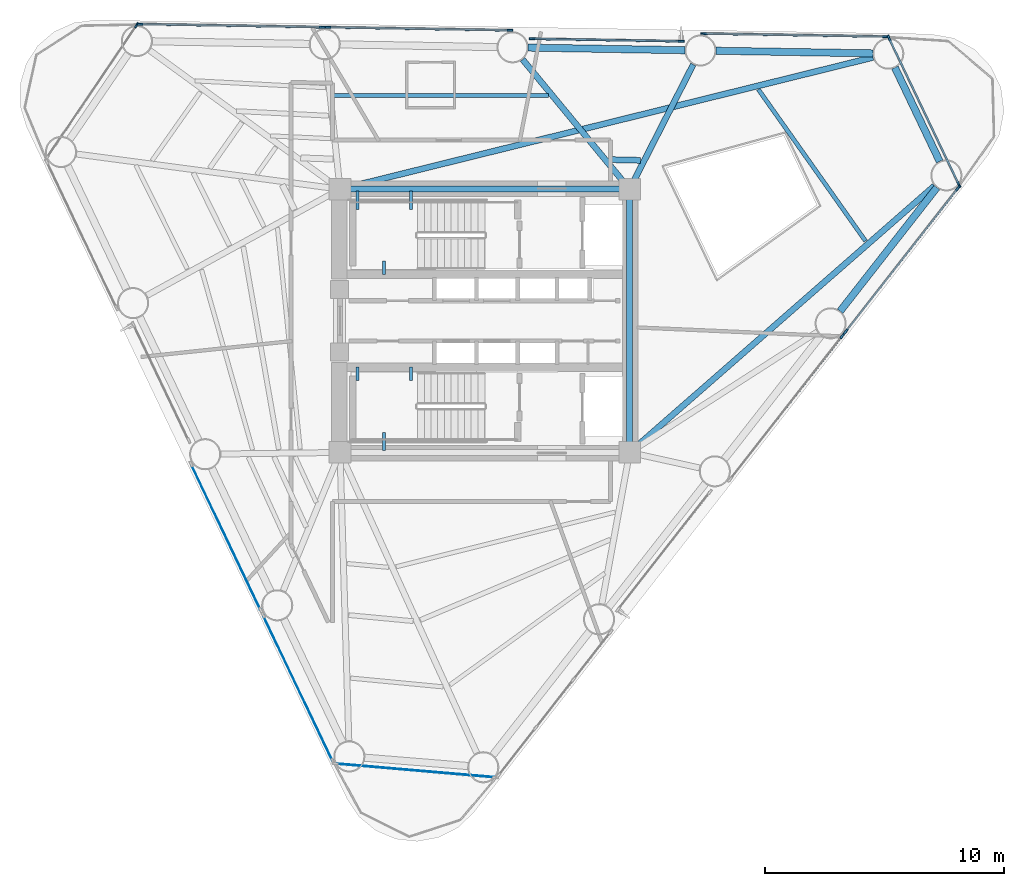
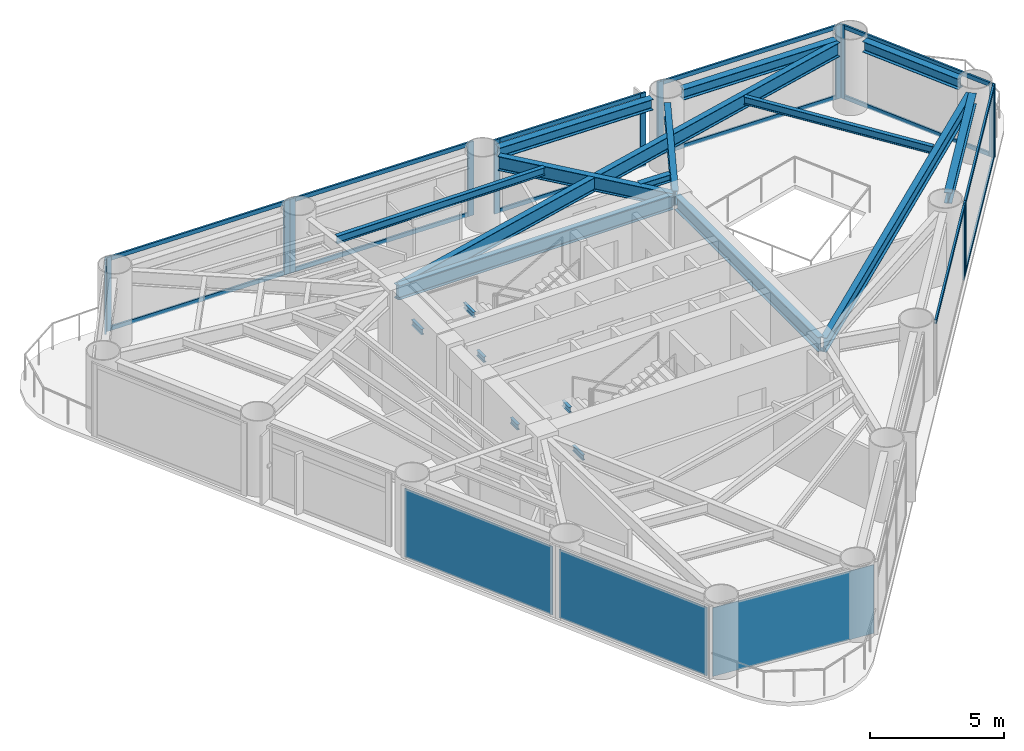
# One storey, part 4 of 10: 28 members, 19 beams, 3 plates, 11 elements without a shape of their own.
"""IFC4 building model written with IfcOpenShell, lengths in metres."""

from ifc_helpers import new_model, si_unit, direction, frame, origin, origin_2d, place, context, subcontext, project, spatial, rectangle, i_section, extrude, source, transform, mapped, material, layer, layer_set, material_profile, profile_set, type_object, element, aggregate, save


model = new_model("IFC4")

# Units and contexts
model_context = context("Model", 3, precision=1e-05, world=origin(), true_north=direction((0.0, 1.0)))
body_context = subcontext(model_context, "Body", "Model", "MODEL_VIEW")
ifc_project = project(units=[si_unit("LENGTHUNIT", "METRE"), si_unit("AREAUNIT", "SQUARE_METRE"), si_unit("VOLUMEUNIT", "CUBIC_METRE"), si_unit("PLANEANGLEUNIT", "RADIAN"), si_unit("MASSUNIT", "GRAM", prefix="KILO")], contexts=[model_context])

# Site, building, storey
site_placement = place(None, origin())
site = spatial("IfcSite", under=ifc_project, at=site_placement, CompositionType="ELEMENT")
building_placement = place(site_placement, origin())
building = spatial("IfcBuilding", under=site, at=building_placement, Name="Yunling Apex Tower", CompositionType="ELEMENT")
storey_placement = place(building_placement, frame((0.0, 0.0, 132.949951171875)))
storey = spatial("IfcBuildingStorey", under=building, at=storey_placement, Name="L32", CompositionType="ELEMENT", Elevation=132.949951171875)

# Beams
ifc_material_1 = material(Name="Steel Q355B", Category="steel")
ifc_material_profile_1 = material_profile(ifc_material_1, i_section(OverallWidth=0.125, OverallDepth=0.25, WebThickness=0.006103515625, FlangeThickness=0.009033203125, FilletRadius=0.011962890625, at=origin_2d()))
ifc_profile_set_1 = profile_set([ifc_material_profile_1], Name="Steel Q355B")
beam_type_1 = type_object("IfcBeamType", Name="BL-LNT-1", PredefinedType="LINTEL", material=ifc_profile_set_1)
shared_shape_1 = source(origin(), body_context, "Body", "SweptSolid", [
    extrude(i_section(OverallWidth=0.125, OverallDepth=0.25, WebThickness=0.006103515625, FlangeThickness=0.009033203125, FilletRadius=0.011962890625, at=origin_2d()), origin(), (0.0, 0.0, 1.0), 0.760009765625),
])
for number, where, z_axis, x_axis, name in (
    (1, (-5.320068359375, 5.419921875, 1.405029296875), (0.0, -1.0, 0.0), (1.0, 0.0, 0.0), "L32 ST-1 Landing Bearing Corbel 1-1"),
    (2, (-3.090087890625, 5.419921875, 1.405029296875), (0.0, -1.0, 0.0), (1.0, 0.0, 0.0), "L32 ST-1 Landing Bearing Corbel 1-2"),
    (3, (-4.205078125, -5.419921875, 1.405029296875), (0.0, 1.0, 0.0), (-1.0, 0.0, 0.0), "L32 ST-2 Landing Bearing Corbel 1-3"),
):
    element("IfcBeam", number, at=place(storey_placement, frame(where, z_axis=z_axis, x_axis=x_axis)), inside=storey, type_object=beam_type_1, Name=name, PredefinedType="LINTEL", context=body_context, shape_type="MappedRepresentation", body=[
        mapped(shared_shape_1, transform((0.0, 0.0, 0.0), scale=1.0)),
    ])
shared_shape_2 = source(origin(), body_context, "Body", "SweptSolid", [
    extrude(i_section(OverallWidth=0.125, OverallDepth=0.25, WebThickness=0.006103515625, FlangeThickness=0.009033203125, FilletRadius=0.011962890625, at=origin_2d()), origin(), (0.0, 0.0, 1.0), 0.550048828125),
])
for number, where, z_axis, x_axis, name in (
    (4, (-4.205078125, 1.93994140625, 1.405029296875), (0.0, 1.0, 0.0), (-1.0, 0.0, 0.0), "L32 ST-1 Landing Bearing Corbel 1-3"),
    (5, (-5.320068359375, -1.93994140625, 1.405029296875), (0.0, -1.0, 0.0), (1.0, 0.0, 0.0), "L32 ST-2 Landing Bearing Corbel 1-1"),
    (6, (-3.090087890625, -1.93994140625, 1.405029296875), (0.0, -1.0, 0.0), (1.0, 0.0, 0.0), "L32 ST-2 Landing Bearing Corbel 1-2"),
):
    element("IfcBeam", number, at=place(storey_placement, frame(where, z_axis=z_axis, x_axis=x_axis)), inside=storey, type_object=beam_type_1, Name=name, PredefinedType="LINTEL", context=body_context, shape_type="MappedRepresentation", body=[
        mapped(shared_shape_2, transform((0.0, 0.0, 0.0), scale=1.0)),
    ])
ifc_material_profile_2 = material_profile(ifc_material_1, i_section(OverallWidth=0.25, OverallDepth=0.64990234375, WebThickness=0.011962890625, FlangeThickness=0.02001953125, FilletRadius=0.02392578125, at=origin_2d()))
ifc_profile_set_2 = profile_set([ifc_material_profile_2], Name="Steel Q355B")
beam_type_2 = type_object("IfcBeamType", Name="BG-PRI-4", PredefinedType="USERDEFINED", material=ifc_profile_set_2)
shared_shape_3 = source(origin(), body_context, "Body", "SweptSolid", [
    extrude(i_section(OverallWidth=0.25, OverallDepth=0.64990234375, WebThickness=0.011962890625, FlangeThickness=0.02001953125, FilletRadius=0.02392578125, at=origin_2d()), origin(), (0.0, 0.0, 1.0), 11.7998046875),
])
beam_1_placement = place(storey_placement, frame((5.89990234375, 5.5, 2.945068359375), z_axis=(-1.0, 0.0, 0.0), x_axis=(0.0, -1.0, 0.0)))
element("IfcBeam", 7, at=beam_1_placement, inside=storey, type_object=beam_type_2, Name="L32 Core Ring Tie Beam 3", ObjectType="GIRDER", PredefinedType="USERDEFINED", context=body_context, shape_type="MappedRepresentation", body=[
    mapped(shared_shape_3, transform((0.0, 0.0, 0.0), scale=1.0)),
])
shared_shape_4 = source(origin(), body_context, "Body", "SweptSolid", [
    extrude(i_section(OverallWidth=0.25, OverallDepth=0.64990234375, WebThickness=0.011962890625, FlangeThickness=0.02001953125, FilletRadius=0.02392578125, at=origin_2d()), origin(), (0.0, 0.0, 1.0), 10.7001953125),
])
beam_2_placement = place(storey_placement, frame((6.050048828125, -5.35009765625, 2.945068359375), z_axis=(0.0, 1.0, 0.0), x_axis=(-1.0, 0.0, 0.0)))
element("IfcBeam", 8, at=beam_2_placement, inside=storey, type_object=beam_type_2, Name="L32 Core Ring Tie Beam 2", ObjectType="GIRDER", PredefinedType="USERDEFINED", context=body_context, shape_type="MappedRepresentation", body=[
    mapped(shared_shape_4, transform((0.0, 0.0, 0.0), scale=1.0)),
])
ifc_material_profile_3 = material_profile(ifc_material_1, i_section(OverallWidth=0.300048828125, OverallDepth=0.489990234375, WebThickness=0.010986328125, FlangeThickness=0.01806640625, FilletRadius=0.02197265625, at=origin_2d()))
ifc_profile_set_3 = profile_set([ifc_material_profile_3], Name="Steel Q355B")
beam_type_3 = type_object("IfcBeamType", Name="BP-SPN-2", PredefinedType="SPANDREL", material=ifc_profile_set_3)
shared_shape_5 = source(origin(), body_context, "Body", "SweptSolid", [
    extrude(i_section(OverallWidth=0.300048828125, OverallDepth=0.489990234375, WebThickness=0.010986328125, FlangeThickness=0.01806640625, FilletRadius=0.02197265625, at=origin_2d()), origin(), (0.0, 0.0, 1.0), 6.562255859375),
])
for number, where, z_axis, x_axis, name in (
    (9, (14.8447265625, 0.400390625, 3.025146484375), (0.616196907529, 0.787592135024, 0.0), (-0.787592135024, 0.616196907529, 0.0), "L32 Perimeter Spandrel Beam 4"),
    (10, (16.214599609375, 11.174560546875, 3.025146484375), (-0.999859845587, 0.016741839275, 0.0), (-0.016741839275, -0.999859845587, 0.0), "L32 Perimeter Spandrel Beam 6"),
):
    element("IfcBeam", number, at=place(storey_placement, frame(where, z_axis=z_axis, x_axis=x_axis)), inside=storey, type_object=beam_type_3, Name=name, PredefinedType="SPANDREL", context=body_context, shape_type="MappedRepresentation", body=[
        mapped(shared_shape_5, transform((0.0, 0.0, 0.0), scale=1.0)),
    ])
shared_shape_6 = source(origin(), body_context, "Body", "SweptSolid", [
    extrude(i_section(OverallWidth=0.300048828125, OverallDepth=0.489990234375, WebThickness=0.010986328125, FlangeThickness=0.01806640625, FilletRadius=0.02197265625, at=origin_2d()), origin(), (0.0, 0.0, 1.0), 6.56201171875),
])
beam_3_placement = place(storey_placement, frame((8.365478515625, 11.305908203125, 3.025146484375), z_axis=(-0.999859211643, 0.016779657083, 0.0), x_axis=(-0.016779657083, -0.999859211643, 0.0)))
element("IfcBeam", 11, at=beam_3_placement, inside=storey, type_object=beam_type_3, Name="L32 Perimeter Spandrel Beam 7", PredefinedType="SPANDREL", context=body_context, shape_type="MappedRepresentation", body=[
    mapped(shared_shape_6, transform((0.0, 0.0, 0.0), scale=1.0)),
])
shared_shape_7 = source(origin(), body_context, "Body", "SweptSolid", [
    extrude(i_section(OverallWidth=0.300048828125, OverallDepth=0.489990234375, WebThickness=0.010986328125, FlangeThickness=0.01806640625, FilletRadius=0.02197265625, at=origin_2d()), origin(), (0.0, 0.0, 1.0), 4.348876953125),
])
beam_4_placement = place(storey_placement, frame((19.0078125, 6.6572265625, 3.025146484375), z_axis=(-0.430473932145, 0.902603010046, 0.0), x_axis=(-0.902603010046, -0.430473932145, 0.0)))
element("IfcBeam", 12, at=beam_4_placement, inside=storey, type_object=beam_type_3, Name="L32 Perimeter Spandrel Beam 5", PredefinedType="SPANDREL", context=body_context, shape_type="MappedRepresentation", body=[
    mapped(shared_shape_7, transform((0.0, 0.0, 0.0), scale=1.0)),
])
shared_shape_8 = source(origin(), body_context, "Body", "SweptSolid", [
    extrude(i_section(OverallWidth=0.25, OverallDepth=0.64990234375, WebThickness=0.011962890625, FlangeThickness=0.02001953125, FilletRadius=0.02392578125, at=origin_2d()), origin(), (0.0, 0.0, 1.0), 16.84521484375),
])
beam_5_placement = place(storey_placement, frame((18.789794921875, 5.642822265625, 2.945068359375), z_axis=(-0.75271314446, -0.658348632684, 0.0), x_axis=(0.658348632684, -0.75271314446, 0.0)))
element("IfcBeam", 13, at=beam_5_placement, inside=storey, type_object=beam_type_2, Name="L32 Radial Primary Girder R05", ObjectType="GIRDER", PredefinedType="USERDEFINED", context=body_context, shape_type="MappedRepresentation", body=[
    mapped(shared_shape_8, transform((0.0, 0.0, 0.0), scale=1.0)),
])
shared_shape_9 = source(origin(), body_context, "Body", "SweptSolid", [
    extrude(i_section(OverallWidth=0.25, OverallDepth=0.64990234375, WebThickness=0.011962890625, FlangeThickness=0.02001953125, FilletRadius=0.02392578125, at=origin_2d()), origin(), (0.0, 0.0, 1.0), 22.860107421875),
])
beam_6_placement = place(storey_placement, frame((16.219482421875, 11.005859375, 2.945068359375), z_axis=(-0.970771198537, -0.240006833426, 0.0), x_axis=(0.240006833426, -0.970771198537, 0.0)))
element("IfcBeam", 14, at=beam_6_placement, inside=storey, type_object=beam_type_2, Name="L32 Radial Primary Girder R06", ObjectType="GIRDER", PredefinedType="USERDEFINED", context=body_context, shape_type="MappedRepresentation", body=[
    mapped(shared_shape_9, transform((0.0, 0.0, 0.0), scale=1.0)),
])
shared_shape_10 = source(origin(), body_context, "Body", "SweptSolid", [
    extrude(i_section(OverallWidth=0.25, OverallDepth=0.64990234375, WebThickness=0.011962890625, FlangeThickness=0.02001953125, FilletRadius=0.02392578125, at=origin_2d()), origin(), (0.0, 0.0, 1.0), 5.76904296875),
])
beam_7_placement = place(storey_placement, frame((8.710205078125, 10.709228515625, 2.945068359375), z_axis=(-0.454797867462, -0.890594688819, 0.0), x_axis=(0.890594688819, -0.454797867462, 0.0)))
element("IfcBeam", 15, at=beam_7_placement, inside=storey, type_object=beam_type_2, Name="L32 Radial Primary Girder R07", ObjectType="GIRDER", PredefinedType="USERDEFINED", context=body_context, shape_type="MappedRepresentation", body=[
    mapped(shared_shape_10, transform((0.0, 0.0, 0.0), scale=1.0)),
])
shared_shape_11 = source(origin(), body_context, "Body", "SweptSolid", [
    extrude(i_section(OverallWidth=0.25, OverallDepth=0.64990234375, WebThickness=0.011962890625, FlangeThickness=0.02001953125, FilletRadius=0.02392578125, at=origin_2d()), origin(), (0.0, 0.0, 1.0), 6.9453125),
])
beam_8_placement = place(storey_placement, frame((1.5791015625, 10.919189453125, 2.945068359375), z_axis=(0.636387137961, -0.771369827409, 0.0), x_axis=(0.771369827409, 0.636387137961, 0.0)))
element("IfcBeam", 16, at=beam_8_placement, inside=storey, type_object=beam_type_2, Name="L32 Radial Primary Girder R08", ObjectType="GIRDER", PredefinedType="USERDEFINED", context=body_context, shape_type="MappedRepresentation", body=[
    mapped(shared_shape_11, transform((0.0, 0.0, 0.0), scale=1.0)),
])
ifc_material_profile_4 = material_profile(ifc_material_1, i_section(OverallWidth=0.175048828125, OverallDepth=0.35009765625, WebThickness=0.007080078125, FlangeThickness=0.010986328125, FilletRadius=0.013916015625, at=origin_2d()))
ifc_profile_set_4 = profile_set([ifc_material_profile_4], Name="Steel Q355B")
beam_type_4 = type_object("IfcBeamType", Name="BJ-JST-1", PredefinedType="JOIST", material=ifc_profile_set_4)
shared_shape_12 = source(origin(), body_context, "Body", "SweptSolid", [
    extrude(i_section(OverallWidth=0.175048828125, OverallDepth=0.35009765625, WebThickness=0.007080078125, FlangeThickness=0.010986328125, FilletRadius=0.013916015625, at=origin_2d()), origin(), (0.0, 0.0, 1.0), 7.7578125),
])
beam_9_placement = place(storey_placement, frame((15.907958984375, 3.33349609375, 3.094970703125), z_axis=(-0.577260058065, 0.816560362351, 0.0), x_axis=(-0.816560362351, -0.577260058065, 0.0)))
element("IfcBeam", 17, at=beam_9_placement, inside=storey, type_object=beam_type_4, Name="L32 Composite Floor Joist BJ1-5", PredefinedType="JOIST", context=body_context, shape_type="MappedRepresentation", body=[
    mapped(shared_shape_12, transform((0.0, 0.0, 0.0), scale=1.0)),
])
ifc_material_profile_5 = material_profile(ifc_material_1, i_section(OverallWidth=0.25, OverallDepth=0.340087890625, WebThickness=0.009033203125, FlangeThickness=0.013916015625, FilletRadius=0.01806640625, at=origin_2d()))
ifc_profile_set_5 = profile_set([ifc_material_profile_5], Name="Steel Q355B")
beam_type_5 = type_object("IfcBeamType", Name="BJ-JST-2", PredefinedType="JOIST", material=ifc_profile_set_5)
shared_shape_13 = source(origin(), body_context, "Body", "SweptSolid", [
    extrude(i_section(OverallWidth=0.25, OverallDepth=0.340087890625, WebThickness=0.009033203125, FlangeThickness=0.013916015625, FilletRadius=0.01806640625, at=origin_2d()), origin(), (0.0, 0.0, 1.0), 1.3173828125),
])
beam_10_placement = place(storey_placement, frame((6.503662109375, 6.705322265625, 3.10009765625), z_axis=(-0.999718560735, 0.023723391875, 0.0), x_axis=(-0.023723391875, -0.999718560735, 0.0)))
element("IfcBeam", 18, at=beam_10_placement, inside=storey, type_object=beam_type_5, Name="L32 Composite Floor Joist BJ2-7", PredefinedType="JOIST", context=body_context, shape_type="MappedRepresentation", body=[
    mapped(shared_shape_13, transform((0.0, 0.0, 0.0), scale=1.0)),
])
shared_shape_14 = source(origin(), body_context, "Body", "SweptSolid", [
    extrude(i_section(OverallWidth=0.175048828125, OverallDepth=0.35009765625, WebThickness=0.007080078125, FlangeThickness=0.010986328125, FilletRadius=0.013916015625, at=origin_2d()), origin(), (0.0, 0.0, 1.0), 8.959228515625),
])
beam_11_placement = place(storey_placement, frame((2.65673828125, 9.4189453125, 3.094970703125), z_axis=(-0.99999980359, -0.000626754107, 0.0), x_axis=(0.000626754107, -0.99999980359, 0.0)))
element("IfcBeam", 19, at=beam_11_placement, inside=storey, type_object=beam_type_4, Name="L32 Composite Floor Joist BJ1-8", PredefinedType="JOIST", context=body_context, shape_type="MappedRepresentation", body=[
    mapped(shared_shape_14, transform((0.0, 0.0, 0.0), scale=1.0)),
])

# Curtain wall, member
ifc_material_2 = material(Name="Bronze anodised aluminium", Category="aluminium")
ifc_layer_1 = layer(ifc_material_2, 0.239990234375)
ifc_layer_set_1 = layer_set([ifc_layer_1], Name="Bronze anodised aluminium")
curtain_wall_type = type_object("IfcCurtainWallType", Name="CW-SYS-3", PredefinedType="NOTDEFINED", material=ifc_layer_set_1)
curtain_wall_1_placement = place(storey_placement, origin())
curtain_wall_1 = element("IfcCurtainWall", 20, at=curtain_wall_1_placement, inside=storey, type_object=curtain_wall_type, Name="CW-L32-F1-B3", PredefinedType="NOTDEFINED")
ifc_material_profile_6 = material_profile(ifc_material_2, rectangle(XDim=0.080078125, YDim=0.239990234375, at=origin_2d()))
ifc_profile_set_6 = profile_set([ifc_material_profile_6], Name="Bronze anodised aluminium")
member_type_1 = type_object("IfcMemberType", Name="CW-MUL-3", PredefinedType="MULLION", material=ifc_profile_set_6)
shared_shape_15 = source(origin(), body_context, "Body", "SweptSolid", [
    extrude(rectangle(XDim=0.080078125, YDim=0.239990234375, at=origin_2d()), origin(), (0.0, 0.0, 1.0), 3.3701171875),
])
member_1_placement = place(storey_placement, frame((14.93310546875, -0.638671875, -0.050048828125), z_axis=(0.0, 0.0, 1.0), x_axis=(-0.787583748686, 0.616207626377, 0.0)))
member_1 = element("IfcMember", 21, at=member_1_placement, type_object=member_type_1, Name="CW-SYS-3 mullion 2", PredefinedType="MULLION", context=body_context, shape_type="MappedRepresentation", body=[
    mapped(shared_shape_15, transform((0.0, 0.0, 0.0), scale=1.0)),
])

# Curtain wall, members
curtain_wall_2_placement = place(storey_placement, origin())
curtain_wall_2 = element("IfcCurtainWall", 22, at=curtain_wall_2_placement, inside=storey, type_object=curtain_wall_type, Name="CW-L32-F1-B4", PredefinedType="NOTDEFINED")
member_2_placement = place(storey_placement, frame((15.0810546875, -0.44970703125, -0.050048828125), z_axis=(0.0, 0.0, 1.0), x_axis=(-0.787583748686, 0.616207626377, 0.0)))
member_2 = element("IfcMember", 23, at=member_2_placement, type_object=member_type_1, Name="CW-SYS-3 mullion 1", PredefinedType="MULLION", context=body_context, shape_type="MappedRepresentation", body=[
    mapped(shared_shape_15, transform((0.0, 0.0, 0.0), scale=1.0)),
])
member_3_placement = place(storey_placement, frame((19.770263671875, 5.5439453125, -0.050048828125), z_axis=(0.0, 0.0, 1.0), x_axis=(-0.787583748686, 0.616207626377, 0.0)))
member_3 = element("IfcMember", 24, at=member_3_placement, type_object=member_type_1, Name="CW-SYS-3 mullion 2", PredefinedType="MULLION", context=body_context, shape_type="MappedRepresentation", body=[
    mapped(shared_shape_15, transform((0.0, 0.0, 0.0), scale=1.0)),
])

curtain_wall_3_placement = place(storey_placement, origin())
curtain_wall_3 = element("IfcCurtainWall", 25, at=curtain_wall_3_placement, inside=storey, type_object=curtain_wall_type, Name="CW-L32-CRN1", PredefinedType="NOTDEFINED")
member_4_placement = place(storey_placement, frame((19.811279296875, 5.68701171875, -0.050048828125), z_axis=(0.0, 0.0, 1.0), x_axis=(-0.902581673296, -0.430518667458, 0.0)))
member_4 = element("IfcMember", 26, at=member_4_placement, type_object=member_type_1, Name="CW-SYS-3 mullion 1", PredefinedType="MULLION", context=body_context, shape_type="MappedRepresentation", body=[
    mapped(shared_shape_15, transform((0.0, 0.0, 0.0), scale=1.0)),
])
member_5_placement = place(storey_placement, frame((16.88720703125, 11.8173828125, -0.050048828125), z_axis=(0.0, 0.0, 1.0), x_axis=(-0.902581673296, -0.430518667458, 0.0)))
member_5 = element("IfcMember", 27, at=member_5_placement, type_object=member_type_1, Name="CW-SYS-3 mullion 2", PredefinedType="MULLION", context=body_context, shape_type="MappedRepresentation", body=[
    mapped(shared_shape_15, transform((0.0, 0.0, 0.0), scale=1.0)),
])

curtain_wall_4_placement = place(storey_placement, origin())
curtain_wall_4 = element("IfcCurtainWall", 28, at=curtain_wall_4_placement, inside=storey, type_object=curtain_wall_type, Name="CW-L32-F2-B1", PredefinedType="NOTDEFINED")
member_6_placement = place(storey_placement, frame((16.75048828125, 11.87548828125, -0.050048828125), z_axis=(0.0, 0.0, 1.0), x_axis=(-0.016761635477, -0.99985951392, 0.0)))
member_6 = element("IfcMember", 29, at=member_6_placement, type_object=member_type_1, Name="CW-SYS-3 mullion 1", PredefinedType="MULLION", context=body_context, shape_type="MappedRepresentation", body=[
    mapped(shared_shape_15, transform((0.0, 0.0, 0.0), scale=1.0)),
])
member_7_placement = place(storey_placement, frame((9.141357421875, 12.003173828125, -0.050048828125), z_axis=(0.0, 0.0, 1.0), x_axis=(-0.016761635477, -0.99985951392, 0.0)))
member_7 = element("IfcMember", 30, at=member_7_placement, type_object=member_type_1, Name="CW-SYS-3 mullion 2", PredefinedType="MULLION", context=body_context, shape_type="MappedRepresentation", body=[
    mapped(shared_shape_15, transform((0.0, 0.0, 0.0), scale=1.0)),
])

curtain_wall_5_placement = place(storey_placement, origin())
curtain_wall_5 = element("IfcCurtainWall", 31, at=curtain_wall_5_placement, inside=storey, type_object=curtain_wall_type, Name="CW-L32-F2-B2", PredefinedType="NOTDEFINED")
member_8_placement = place(storey_placement, frame((8.205810546875, 11.6787109375, -0.050048828125), z_axis=(0.0, 0.0, 1.0), x_axis=(-0.016766539529, -0.999859431696, 0.0)))
member_8 = element("IfcMember", 32, at=member_8_placement, type_object=member_type_1, Name="CW-SYS-3 mullion 1", PredefinedType="MULLION", context=body_context, shape_type="MappedRepresentation", body=[
    mapped(shared_shape_15, transform((0.0, 0.0, 0.0), scale=1.0)),
])
member_9_placement = place(storey_placement, frame((1.9765625, 11.783203125, -0.050048828125), z_axis=(0.0, 0.0, 1.0), x_axis=(-0.016766539529, -0.999859431696, 0.0)))
member_9 = element("IfcMember", 33, at=member_9_placement, type_object=member_type_1, Name="CW-SYS-3 mullion 2", PredefinedType="MULLION", context=body_context, shape_type="MappedRepresentation", body=[
    mapped(shared_shape_15, transform((0.0, 0.0, 0.0), scale=1.0)),
])

curtain_wall_6_placement = place(storey_placement, origin())
curtain_wall_6 = element("IfcCurtainWall", 34, at=curtain_wall_6_placement, inside=storey, type_object=curtain_wall_type, Name="CW-L32-F2-B3", PredefinedType="NOTDEFINED")
member_10_placement = place(storey_placement, frame((1.052490234375, 12.138671875, -0.050048828125), z_axis=(0.0, 0.0, 1.0), x_axis=(-0.016761635477, -0.99985951392, 0.0)))
member_10 = element("IfcMember", 35, at=member_10_placement, type_object=member_type_1, Name="CW-SYS-3 mullion 1", PredefinedType="MULLION", context=body_context, shape_type="MappedRepresentation", body=[
    mapped(shared_shape_15, transform((0.0, 0.0, 0.0), scale=1.0)),
])
member_11_placement = place(storey_placement, frame((-6.556640625, 12.266357421875, -0.050048828125), z_axis=(0.0, 0.0, 1.0), x_axis=(-0.016761635477, -0.99985951392, 0.0)))
member_11 = element("IfcMember", 36, at=member_11_placement, type_object=member_type_1, Name="CW-SYS-3 mullion 2", PredefinedType="MULLION", context=body_context, shape_type="MappedRepresentation", body=[
    mapped(shared_shape_15, transform((0.0, 0.0, 0.0), scale=1.0)),
])

curtain_wall_7_placement = place(storey_placement, origin())
curtain_wall_7 = element("IfcCurtainWall", 37, at=curtain_wall_7_placement, inside=storey, type_object=curtain_wall_type, Name="CW-L32-F2-B4", PredefinedType="NOTDEFINED")
member_12_placement = place(storey_placement, frame((-6.796630859375, 12.270263671875, -0.050048828125), z_axis=(0.0, 0.0, 1.0), x_axis=(-0.016761635477, -0.99985951392, 0.0)))
member_12 = element("IfcMember", 38, at=member_12_placement, type_object=member_type_1, Name="CW-SYS-3 mullion 1", PredefinedType="MULLION", context=body_context, shape_type="MappedRepresentation", body=[
    mapped(shared_shape_15, transform((0.0, 0.0, 0.0), scale=1.0)),
])
member_13_placement = place(storey_placement, frame((-14.40576171875, 12.39794921875, -0.050048828125), z_axis=(0.0, 0.0, 1.0), x_axis=(-0.016761635477, -0.99985951392, 0.0)))
member_13 = element("IfcMember", 39, at=member_13_placement, type_object=member_type_1, Name="CW-SYS-3 mullion 2", PredefinedType="MULLION", context=body_context, shape_type="MappedRepresentation", body=[
    mapped(shared_shape_15, transform((0.0, 0.0, 0.0), scale=1.0)),
])

# Curtain wall, member
curtain_wall_8_placement = place(storey_placement, origin())
curtain_wall_8 = element("IfcCurtainWall", 40, at=curtain_wall_8_placement, inside=storey, type_object=curtain_wall_type, Name="CW-L32-CRN2", PredefinedType="NOTDEFINED")
member_14_placement = place(storey_placement, frame((-14.54833984375, 12.3466796875, -0.050048828125), z_axis=(0.0, 0.0, 1.0), x_axis=(0.82813882115, -0.560523052964, 0.0)))
member_14 = element("IfcMember", 41, at=member_14_placement, type_object=member_type_1, Name="CW-SYS-3 mullion 1", PredefinedType="MULLION", context=body_context, shape_type="MappedRepresentation", body=[
    mapped(shared_shape_15, transform((0.0, 0.0, 0.0), scale=1.0)),
])
aggregate(curtain_wall_8, [member_14])

# Member
ifc_material_profile_7 = material_profile(ifc_material_2, rectangle(XDim=0.080078125, YDim=0.18505859375, at=origin_2d()))
ifc_profile_set_7 = profile_set([ifc_material_profile_7], Name="Bronze anodised aluminium")
member_type_2 = type_object("IfcMemberType", Name="CW-TRN-3", PredefinedType="USERDEFINED", material=ifc_profile_set_7)
shared_shape_16 = source(origin(), body_context, "Body", "SweptSolid", [
    extrude(rectangle(XDim=0.080078125, YDim=0.18505859375, at=origin_2d()), origin(), (0.0, 0.0, 1.0), 7.5380859375),
])
member_15_placement = place(storey_placement, frame((10.265869140625, -6.603759765625, 3.22998046875), z_axis=(0.616213940974, 0.787578808088, 0.0), x_axis=(-0.787578808088, 0.616213940974, 0.0)))
member_15 = element("IfcMember", 42, at=member_15_placement, type_object=member_type_2, Name="CW-SYS-3 transom 1.2", ObjectType="TRANSOM", PredefinedType="USERDEFINED", context=body_context, shape_type="MappedRepresentation", body=[
    mapped(shared_shape_16, transform((0.0, 0.0, 0.0), scale=1.0)),
])

aggregate(curtain_wall_1, [member_1, member_15])

member_16_placement = place(storey_placement, frame((15.10302734375, -0.421142578125, 0.0400390625), z_axis=(0.616213940974, 0.787578808088, 0.0), x_axis=(-0.787578808088, 0.616213940974, 0.0)))
member_16 = element("IfcMember", 43, at=member_16_placement, type_object=member_type_2, Name="CW-SYS-3 transom 1.1", ObjectType="TRANSOM", PredefinedType="USERDEFINED", context=body_context, shape_type="MappedRepresentation", body=[
    mapped(shared_shape_16, transform((0.0, 0.0, 0.0), scale=1.0)),
])

member_17_placement = place(storey_placement, frame((15.10302734375, -0.421142578125, 3.22998046875), z_axis=(0.616213940974, 0.787578808088, 0.0), x_axis=(-0.787578808088, 0.616213940974, 0.0)))
member_17 = element("IfcMember", 44, at=member_17_placement, type_object=member_type_2, Name="CW-SYS-3 transom 1.2", ObjectType="TRANSOM", PredefinedType="USERDEFINED", context=body_context, shape_type="MappedRepresentation", body=[
    mapped(shared_shape_16, transform((0.0, 0.0, 0.0), scale=1.0)),
])

aggregate(curtain_wall_2, [member_2, member_3, member_16, member_17])

member_18_placement = place(storey_placement, frame((16.71435546875, 11.876220703125, 0.0400390625), z_axis=(-0.999859805743, 0.016744218696, 0.0), x_axis=(-0.016744218696, -0.999859805743, 0.0)))
member_18 = element("IfcMember", 45, at=member_18_placement, type_object=member_type_2, Name="CW-SYS-3 transom 1.1", ObjectType="TRANSOM", PredefinedType="USERDEFINED", context=body_context, shape_type="MappedRepresentation", body=[
    mapped(shared_shape_16, transform((0.0, 0.0, 0.0), scale=1.0)),
])

member_19_placement = place(storey_placement, frame((16.71435546875, 11.876220703125, 3.22998046875), z_axis=(-0.999859805743, 0.016744218696, 0.0), x_axis=(-0.016744218696, -0.999859805743, 0.0)))
member_19 = element("IfcMember", 46, at=member_19_placement, type_object=member_type_2, Name="CW-SYS-3 transom 1.2", ObjectType="TRANSOM", PredefinedType="USERDEFINED", context=body_context, shape_type="MappedRepresentation", body=[
    mapped(shared_shape_16, transform((0.0, 0.0, 0.0), scale=1.0)),
])

aggregate(curtain_wall_4, [member_6, member_7, member_18, member_19])

member_20_placement = place(storey_placement, frame((1.016357421875, 12.139404296875, 0.0400390625), z_axis=(-0.999859805743, 0.016744218696, 0.0), x_axis=(-0.016744218696, -0.999859805743, 0.0)))
member_20 = element("IfcMember", 47, at=member_20_placement, type_object=member_type_2, Name="CW-SYS-3 transom 1.1", ObjectType="TRANSOM", PredefinedType="USERDEFINED", context=body_context, shape_type="MappedRepresentation", body=[
    mapped(shared_shape_16, transform((0.0, 0.0, 0.0), scale=1.0)),
])

member_21_placement = place(storey_placement, frame((1.016357421875, 12.139404296875, 3.22998046875), z_axis=(-0.999859805743, 0.016744218696, 0.0), x_axis=(-0.016744218696, -0.999859805743, 0.0)))
member_21 = element("IfcMember", 48, at=member_21_placement, type_object=member_type_2, Name="CW-SYS-3 transom 1.2", ObjectType="TRANSOM", PredefinedType="USERDEFINED", context=body_context, shape_type="MappedRepresentation", body=[
    mapped(shared_shape_16, transform((0.0, 0.0, 0.0), scale=1.0)),
])

aggregate(curtain_wall_6, [member_10, member_11, member_20, member_21])

member_22_placement = place(storey_placement, frame((-6.83251953125, 12.27099609375, 0.0400390625), z_axis=(-0.999859805743, 0.016744218696, 0.0), x_axis=(-0.016744218696, -0.999859805743, 0.0)))
member_22 = element("IfcMember", 49, at=member_22_placement, type_object=member_type_2, Name="CW-SYS-3 transom 1.1", ObjectType="TRANSOM", PredefinedType="USERDEFINED", context=body_context, shape_type="MappedRepresentation", body=[
    mapped(shared_shape_16, transform((0.0, 0.0, 0.0), scale=1.0)),
])

member_23_placement = place(storey_placement, frame((-6.83251953125, 12.27099609375, 3.22998046875), z_axis=(-0.999859805743, 0.016744218696, 0.0), x_axis=(-0.016744218696, -0.999859805743, 0.0)))
member_23 = element("IfcMember", 50, at=member_23_placement, type_object=member_type_2, Name="CW-SYS-3 transom 1.2", ObjectType="TRANSOM", PredefinedType="USERDEFINED", context=body_context, shape_type="MappedRepresentation", body=[
    mapped(shared_shape_16, transform((0.0, 0.0, 0.0), scale=1.0)),
])

aggregate(curtain_wall_7, [member_12, member_13, member_22, member_23])

shared_shape_17 = source(origin(), body_context, "Body", "SweptSolid", [
    extrude(rectangle(XDim=0.080078125, YDim=0.18505859375, at=origin_2d()), origin(), (0.0, 0.0, 1.0), 6.719970703125),
])
member_24_placement = place(storey_placement, frame((19.7958984375, 5.719482421875, 0.0400390625), z_axis=(-0.430511684766, 0.902585003908, 0.0), x_axis=(-0.902585003908, -0.430511684766, 0.0)))
member_24 = element("IfcMember", 51, at=member_24_placement, type_object=member_type_2, Name="CW-SYS-3 transom 1.1", ObjectType="TRANSOM", PredefinedType="USERDEFINED", context=body_context, shape_type="MappedRepresentation", body=[
    mapped(shared_shape_17, transform((0.0, 0.0, 0.0), scale=1.0)),
])

member_25_placement = place(storey_placement, frame((19.7958984375, 5.719482421875, 3.22998046875), z_axis=(-0.430511684766, 0.902585003908, 0.0), x_axis=(-0.902585003908, -0.430511684766, 0.0)))
member_25 = element("IfcMember", 52, at=member_25_placement, type_object=member_type_2, Name="CW-SYS-3 transom 1.2", ObjectType="TRANSOM", PredefinedType="USERDEFINED", context=body_context, shape_type="MappedRepresentation", body=[
    mapped(shared_shape_17, transform((0.0, 0.0, 0.0), scale=1.0)),
])

aggregate(curtain_wall_3, [member_4, member_5, member_24, member_25])

shared_shape_18 = source(origin(), body_context, "Body", "SweptSolid", [
    extrude(rectangle(XDim=0.080078125, YDim=0.18505859375, at=origin_2d()), origin(), (0.0, 0.0, 1.0), 6.158447265625),
])
member_26_placement = place(storey_placement, frame((8.169921875, 11.679443359375, 0.0400390625), z_axis=(-0.99985938407, 0.016769379464, 0.0), x_axis=(-0.016769379464, -0.99985938407, 0.0)))
member_26 = element("IfcMember", 53, at=member_26_placement, type_object=member_type_2, Name="CW-SYS-3 transom 1.1", ObjectType="TRANSOM", PredefinedType="USERDEFINED", context=body_context, shape_type="MappedRepresentation", body=[
    mapped(shared_shape_18, transform((0.0, 0.0, 0.0), scale=1.0)),
])

member_27_placement = place(storey_placement, frame((8.169921875, 11.679443359375, 2.4853515625), z_axis=(-0.99985938407, 0.016769379464, 0.0), x_axis=(-0.016769379464, -0.99985938407, 0.0)))
member_27 = element("IfcMember", 54, at=member_27_placement, type_object=member_type_2, Name="CW-SYS-3 transom 1.2", ObjectType="TRANSOM", PredefinedType="USERDEFINED", context=body_context, shape_type="MappedRepresentation", body=[
    mapped(shared_shape_18, transform((0.0, 0.0, 0.0), scale=1.0)),
])

member_28_placement = place(storey_placement, frame((8.169921875, 11.679443359375, 3.22998046875), z_axis=(-0.99985938407, 0.016769379464, 0.0), x_axis=(-0.016769379464, -0.99985938407, 0.0)))
member_28 = element("IfcMember", 55, at=member_28_placement, type_object=member_type_2, Name="CW-SYS-3 transom 1.3", ObjectType="TRANSOM", PredefinedType="USERDEFINED", context=body_context, shape_type="MappedRepresentation", body=[
    mapped(shared_shape_18, transform((0.0, 0.0, 0.0), scale=1.0)),
])

aggregate(curtain_wall_5, [member_8, member_9, member_26, member_27, member_28])

# Curtain wall, plate
curtain_wall_9_placement = place(storey_placement, origin())
curtain_wall_9 = element("IfcCurtainWall", 56, at=curtain_wall_9_placement, inside=storey, type_object=curtain_wall_type, Name="CW-L32-F3-B3", PredefinedType="NOTDEFINED")
ifc_material_3 = material(Name="Bronze tinted low-E glass", Category="glass")
ifc_layer_2 = layer(ifc_material_3, 0.031982421875)
ifc_layer_set_2 = layer_set([ifc_layer_2], Name="Bronze tinted low-E glass")
plate_type = type_object("IfcPlateType", Name="CW-PNL-3", PredefinedType="CURTAIN_PANEL", material=ifc_layer_set_2)
shared_shape_19 = source(origin(), body_context, "Body", "SweptSolid", [
    extrude(rectangle(XDim=6.691650390625, YDim=0.031982421875, at=origin_2d()), origin(), (0.0, 0.0, 1.0), 3.1259765625),
])
plate_1_placement = place(storey_placement, frame((-10.820068359375, -9.036376953125, 0.072021484375), z_axis=(0.0, 0.0, 1.0), x_axis=(0.430493977743, -0.902593449526, 0.0)))
plate_1 = element("IfcPlate", 57, at=plate_1_placement, type_object=plate_type, Name="CW-SYS-3 panel 1.1", PredefinedType="CURTAIN_PANEL", context=body_context, shape_type="MappedRepresentation", body=[
    mapped(shared_shape_19, transform((0.0, 0.0, 0.0), scale=1.0)),
])
aggregate(curtain_wall_9, [plate_1])

curtain_wall_10_placement = place(storey_placement, origin())
curtain_wall_10 = element("IfcCurtainWall", 58, at=curtain_wall_10_placement, inside=storey, type_object=curtain_wall_type, Name="CW-L32-F3-B4", PredefinedType="NOTDEFINED")
plate_2_placement = place(storey_placement, frame((-7.80859375, -15.350341796875, 0.072021484375), z_axis=(0.0, 0.0, 1.0), x_axis=(0.430511580192, -0.902585053788, 0.0)))
plate_2 = element("IfcPlate", 59, at=plate_2_placement, type_object=plate_type, Name="CW-SYS-3 panel 1.1", PredefinedType="CURTAIN_PANEL", context=body_context, shape_type="MappedRepresentation", body=[
    mapped(shared_shape_19, transform((0.0, 0.0, 0.0), scale=1.0)),
])
aggregate(curtain_wall_10, [plate_2])

curtain_wall_11_placement = place(storey_placement, origin())
curtain_wall_11 = element("IfcCurtainWall", 60, at=curtain_wall_11_placement, inside=storey, type_object=curtain_wall_type, Name="CW-L32-CRN3", PredefinedType="NOTDEFINED")
shared_shape_20 = source(origin(), body_context, "Body", "SweptSolid", [
    extrude(rectangle(XDim=6.64501953125, YDim=0.031982421875, at=origin_2d()), origin(), (0.0, 0.0, 1.0), 3.1259765625),
])
plate_3_placement = place(storey_placement, frame((-2.902587890625, -18.789306640625, 0.072021484375), z_axis=(0.0, 0.0, 1.0), x_axis=(0.996333853808, -0.085550287883, 0.0)))
plate_3 = element("IfcPlate", 61, at=plate_3_placement, type_object=plate_type, Name="CW-SYS-3 panel 1.1", PredefinedType="CURTAIN_PANEL", context=body_context, shape_type="MappedRepresentation", body=[
    mapped(shared_shape_20, transform((0.0, 0.0, 0.0), scale=1.0)),
])
aggregate(curtain_wall_11, [plate_3])

save(model, "model.ifc")
